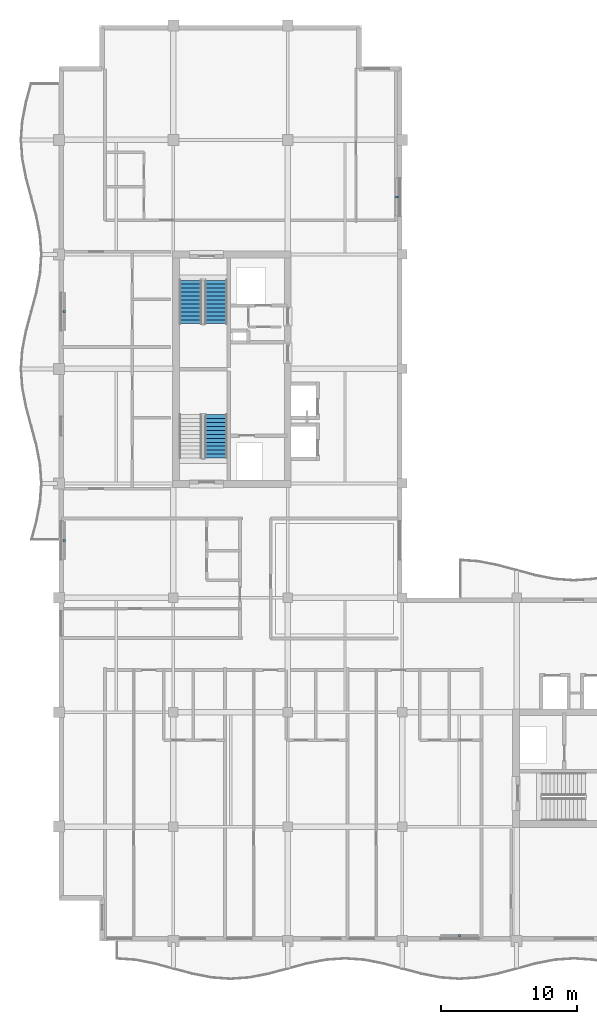
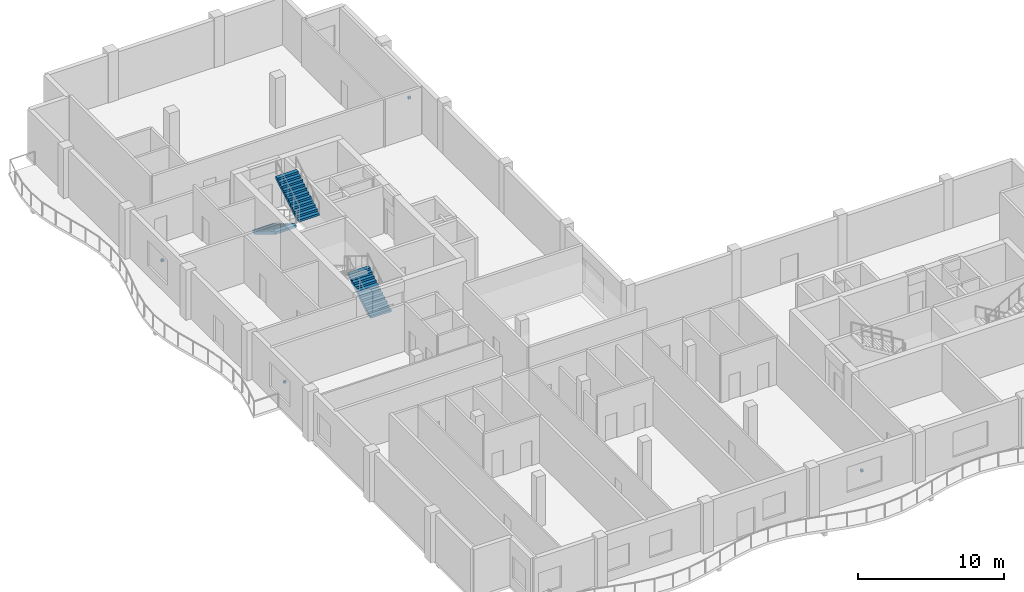
# One storey, part 12 of 16: 4 discrete accessories, 3 stair flights, 2 elements without a shape of their own.
"""IFC4 building model written with IfcOpenShell, lengths in metres."""

from ifc_helpers import new_model, si_unit, direction, frame, origin, origin_2d, place, context, subcontext, project, spatial, polyline, rectangle, outline, extrude, material, type_object, element, aggregate, save


model = new_model("IFC4")

# Units and contexts
model_context = context("Model", 3, precision=1e-05, world=origin(), true_north=direction((0.0, 1.0)))
body_context = subcontext(model_context, "Body", "Model", "MODEL_VIEW")
ifc_project = project(units=[si_unit("LENGTHUNIT", "METRE"), si_unit("AREAUNIT", "SQUARE_METRE"), si_unit("VOLUMEUNIT", "CUBIC_METRE"), si_unit("PLANEANGLEUNIT", "RADIAN"), si_unit("MASSUNIT", "GRAM", prefix="KILO")], contexts=[model_context])

# Site, building, storey
site_placement = place(None, origin())
site = spatial("IfcSite", under=ifc_project, at=site_placement, CompositionType="ELEMENT")
building_placement = place(site_placement, origin())
building = spatial("IfcBuilding", under=site, at=building_placement, Name="Koriwani Terraces Tower", CompositionType="ELEMENT")
storey_placement = place(building_placement, frame((0.0, 0.0, 355.39990234375)))
storey = spatial("IfcBuildingStorey", under=building, at=storey_placement, Name="L88", CompositionType="ELEMENT", Elevation=355.39990234375)

# Stair, stair flight
ifc_material_1 = material(Name="Concrete C40/50", Category="concrete")
stair_type = type_object("IfcStairType", Name="STAIR_CORE_DOGLEG_1650", PredefinedType="TWO_STRAIGHT_RUN_STAIR", material=ifc_material_1)
stair_1_placement = place(storey_placement, origin())
stair_1 = element("IfcStair", 1, at=stair_1_placement, inside=storey, type_object=stair_type, Name="L88 West Core Exit Stair 1", PredefinedType="HALF_TURN_STAIR")
stair_flight_type = type_object("IfcStairFlightType", Name="STAIR_FLIGHT_RC_1650", PredefinedType="STRAIGHT", material=ifc_material_1)
stair_flight_1_placement = place(storey_placement, frame((19.925048828125, 43.85009765625, 0.0), z_axis=(0.0, 0.0, 1.0), x_axis=(0.0, 1.0, 0.0)))
stair_flight_1 = element("IfcStairFlight", 2, at=stair_flight_1_placement, type_object=stair_flight_type, Name="ST-W1 flight 1", NumberOfRisers=12, NumberOfTreads=11, PredefinedType="STRAIGHT", RiserHeight=0.175, TreadLength=0.29, context=body_context, shape_type="SweptSolid", body=[
    extrude(outline(polyline([(0.0, 0.0), (0.0, 0.175048828125), (0.2900390625, 0.175048828125), (0.2900390625, 0.35009765625), (0.580078125, 0.35009765625), (0.580078125, 0.52490234375), (0.8701171875, 0.52490234375), (0.8701171875, 0.699951171875), (1.159912109375, 0.699951171875), (1.159912109375, 0.875), (1.449951171875, 0.875), (1.449951171875, 1.050048828125), (1.739990234375, 1.050048828125), (1.739990234375, 1.22509765625), (2.030029296875, 1.22509765625), (2.030029296875, 1.39990234375), (2.320068359375, 1.39990234375), (2.320068359375, 1.574951171875), (2.610107421875, 1.574951171875), (2.610107421875, 1.75), (2.89990234375, 1.75), (2.89990234375, 1.925048828125), (3.18994140625, 1.925048828125), (3.18994140625, 2.10009765625), (3.18994140625, 1.71484375), (0.34814453125, 0.0), (0.0, 0.0)])), frame((0.0, 0.824951171875, 0.0), z_axis=(0.0, -1.0, 0.0), x_axis=(1.0, 0.0, 0.0)), (0.0, 0.0, 1.0), 1.64990234375),
])
aggregate(stair_1, [stair_flight_1])

# Stair, stair flights
stair_2_placement = place(storey_placement, origin())
stair_2 = element("IfcStair", 3, at=stair_2_placement, inside=storey, type_object=stair_type, Name="L88 West Core Exit Stair 2", PredefinedType="HALF_TURN_STAIR")
stair_flight_2_placement = place(storey_placement, frame((18.074951171875, 56.89990234375, 0.0), z_axis=(0.0, 0.0, 1.0), x_axis=(0.0, -1.0, 0.0)))
stair_flight_2 = element("IfcStairFlight", 4, at=stair_flight_2_placement, type_object=stair_flight_type, Name="ST-W2 flight 1", NumberOfRisers=12, NumberOfTreads=11, PredefinedType="STRAIGHT", RiserHeight=0.175, TreadLength=0.29, context=body_context, shape_type="SweptSolid", body=[
    extrude(outline(polyline([(0.0, 0.0), (0.0, 0.175048828125), (0.2900390625, 0.175048828125), (0.2900390625, 0.35009765625), (0.580078125, 0.35009765625), (0.580078125, 0.52490234375), (0.8701171875, 0.52490234375), (0.8701171875, 0.699951171875), (1.159912109375, 0.699951171875), (1.159912109375, 0.875), (1.449951171875, 0.875), (1.449951171875, 1.050048828125), (1.739990234375, 1.050048828125), (1.739990234375, 1.22509765625), (2.030029296875, 1.22509765625), (2.030029296875, 1.39990234375), (2.320068359375, 1.39990234375), (2.320068359375, 1.574951171875), (2.610107421875, 1.574951171875), (2.610107421875, 1.75), (2.89990234375, 1.75), (2.89990234375, 1.925048828125), (3.18994140625, 1.925048828125), (3.18994140625, 2.10009765625), (3.18994140625, 1.71484375), (0.34814453125, 0.0), (0.0, 0.0)])), frame((0.0, 0.824951171875, 0.0), z_axis=(0.0, -1.0, 0.0), x_axis=(1.0, 0.0, 0.0)), (0.0, 0.0, 1.0), 1.64990234375),
])
stair_flight_3_placement = place(storey_placement, frame((19.925048828125, 53.7099609375, 2.10009765625), z_axis=(0.0, 0.0, 1.0), x_axis=(0.0, 1.0, 0.0)))
stair_flight_3 = element("IfcStairFlight", 5, at=stair_flight_3_placement, type_object=stair_flight_type, Name="ST-W2 flight 2", NumberOfRisers=12, NumberOfTreads=11, PredefinedType="STRAIGHT", RiserHeight=0.175, TreadLength=0.29, context=body_context, shape_type="SweptSolid", body=[
    extrude(outline(polyline([(0.0, 0.0), (0.0, 0.175048828125), (0.2900390625, 0.175048828125), (0.2900390625, 0.35009765625), (0.580078125, 0.35009765625), (0.580078125, 0.52490234375), (0.8701171875, 0.52490234375), (0.8701171875, 0.699951171875), (1.159912109375, 0.699951171875), (1.159912109375, 0.875), (1.449951171875, 0.875), (1.449951171875, 1.050048828125), (1.739990234375, 1.050048828125), (1.739990234375, 1.22509765625), (2.030029296875, 1.22509765625), (2.030029296875, 1.39990234375), (2.320068359375, 1.39990234375), (2.320068359375, 1.574951171875), (2.610107421875, 1.574951171875), (2.610107421875, 1.75), (2.89990234375, 1.75), (2.89990234375, 1.925048828125), (3.18994140625, 1.925048828125), (3.18994140625, 2.10009765625), (3.18994140625, 1.71484375), (0.34814453125, 0.0), (0.0, 0.0)])), frame((0.0, 0.824951171875, 0.0), z_axis=(0.0, -1.0, 0.0), x_axis=(1.0, 0.0, 0.0)), (0.0, 0.0, 1.0), 1.64990234375),
])
aggregate(stair_2, [stair_flight_2, stair_flight_3])

# Discrete accessories
ifc_material_2 = material(Name="Steel ASTM A572 Grade 50", Category="steel")
discrete_accessory_type = type_object("IfcDiscreteAccessoryType", Name="BAGUETTE_STANDOFF_BRACKET", PredefinedType="BRACKET", material=ifc_material_2)
for number, where, z_axis, x_axis, name in (
    (6, (8.7900390625, 37.800048828125, 1.89501953125), (0.0, 0.0, 1.0), (0.0, 1.0, 0.0), "L88 Terracotta Baguette Bracket (W-9)"),
    (7, (8.7900390625, 54.60009765625, 1.89501953125), (0.0, 0.0, 1.0), (0.0, 1.0, 0.0), "L88 Terracotta Baguette Bracket (W-15)"),
    (8, (33.2099609375, 63.0, 1.89501953125), (0.0, 0.0, 1.0), (0.0, -1.0, 0.0), "L88 Terracotta Baguette Bracket (NW_IN-11)"),
    (9, (37.800048828125, 8.7900390625, 1.89501953125), (0.0, 0.0, 1.0), (-1.0, 0.0, 0.0), "L88 Terracotta Baguette Bracket (S-9)"),
):
    element("IfcDiscreteAccessory", number, at=place(storey_placement, frame(where, z_axis=z_axis, x_axis=x_axis)), inside=storey, type_object=discrete_accessory_type, Name=name, PredefinedType="BRACKET", context=body_context, shape_type="SweptSolid", body=[
        extrude(rectangle(XDim=0.159912109375, YDim=0.199951171875, at=origin_2d()), origin(), (0.0, 0.0, 1.0), 0.179931640625),
    ])

save(model, "model.ifc")
